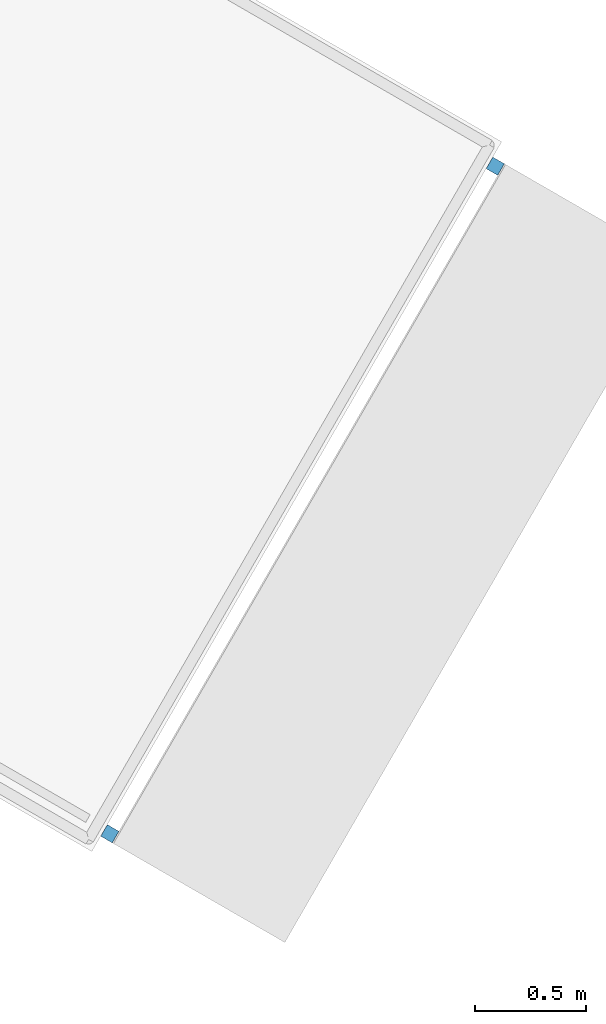
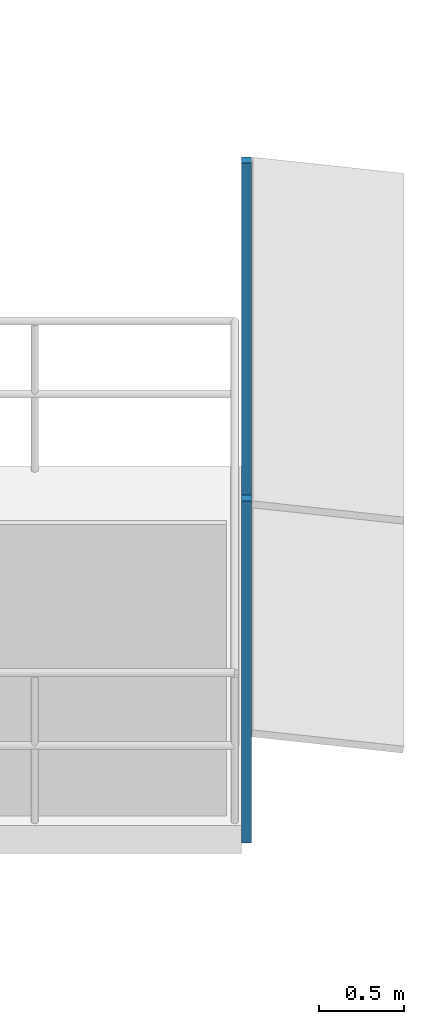
# One storey, part 11 of 15: 2 discrete accessories.
"""IFC4 building model written with IfcOpenShell, lengths in metres."""

from ifc_helpers import new_model, si_unit, direction, frame, origin, origin_2d, place, context, subcontext, project, spatial, rectangle, extrude, material, type_object, element, save


model = new_model("IFC4")

# Units and contexts
model_context = context("Model", 3, precision=1e-05, world=origin(), true_north=direction((0.0, 1.0)))
body_context = subcontext(model_context, "Body", "Model", "MODEL_VIEW")
ifc_project = project(units=[si_unit("LENGTHUNIT", "METRE"), si_unit("AREAUNIT", "SQUARE_METRE"), si_unit("VOLUMEUNIT", "CUBIC_METRE"), si_unit("PLANEANGLEUNIT", "RADIAN"), si_unit("MASSUNIT", "GRAM", prefix="KILO")], contexts=[model_context])

# Site, building, storey
site_placement = place(None, origin())
site = spatial("IfcSite", under=ifc_project, at=site_placement, CompositionType="ELEMENT")
building_placement = place(site_placement, origin())
building = spatial("IfcBuilding", under=site, at=building_placement, Name="Nakaniwa Court", CompositionType="ELEMENT")
storey_placement = place(building_placement, frame((0.0, 0.0, 213.0)))
storey = spatial("IfcBuildingStorey", under=building, at=storey_placement, Name="L56", CompositionType="ELEMENT", Elevation=213.0)

# Discrete accessories
ifc_material = material(Name="Black powder-coated steel bracket S275", Category="steel")
discrete_accessory_type = type_object("IfcDiscreteAccessoryType", Name="Black metal louvre bracket", PredefinedType="BRACKET", material=ifc_material)
for number, where, z_axis, x_axis, name in (
    (1, (99.5302734375, 63.66748046875, -0.22998046875), (0.0, 0.0, 1.0), (0.500016626402, 0.866015804314, 0.0), "L56 louvre bracket 02 1"),
    (2, (101.2685546875, 66.677978515625, -0.22998046875), (0.0, 0.0, 1.0), (0.500016626402, 0.866015804314, 0.0), "L56 louvre bracket 02 2"),
):
    element("IfcDiscreteAccessory", number, at=place(storey_placement, frame(where, z_axis=z_axis, x_axis=x_axis)), inside=storey, type_object=discrete_accessory_type, Name=name, PredefinedType="BRACKET", context=body_context, shape_type="SweptSolid", body=[
        extrude(rectangle(XDim=0.06005859375, YDim=0.06005859375, at=origin_2d()), origin(), (0.0, 0.0, 1.0), 2.46337890625),
    ])

save(model, "model.ifc")
